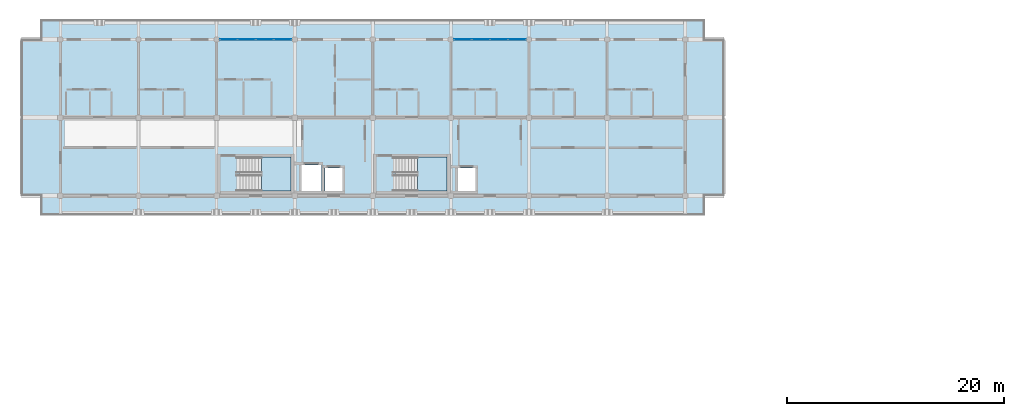
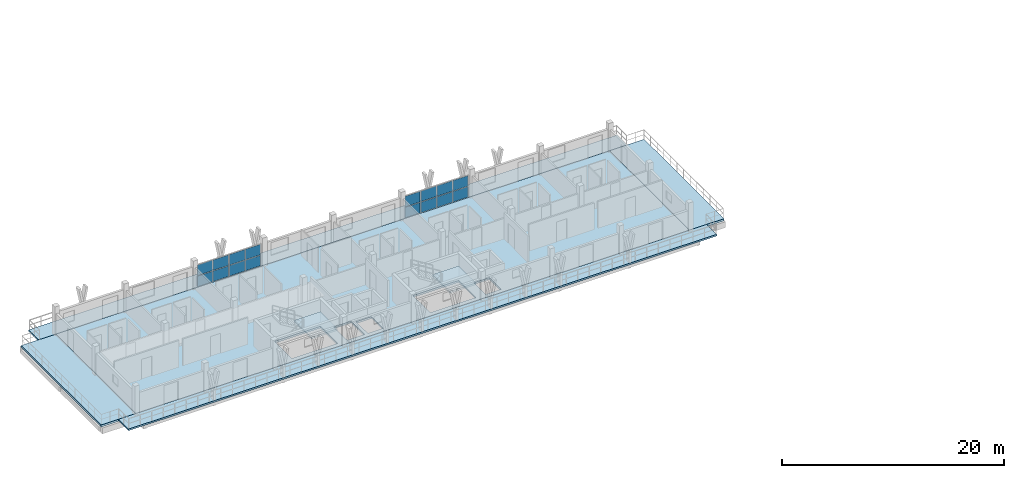
# One storey, part 15 of 32: 16 plates, 7 slabs, 4 elements without a shape of their own.
"""IFC4 building model written with IfcOpenShell, lengths in metres."""

from ifc_helpers import new_model, si_unit, direction, frame, origin, origin_2d, place, context, subcontext, project, spatial, polyline, rectangle, outline, extrude, material, layer, layer_set, type_object, element, aggregate, save


model = new_model("IFC4")

# Units and contexts
model_context = context("Model", 3, precision=1e-05, world=origin(), true_north=direction((0.0, 1.0)))
body_context = subcontext(model_context, "Body", "Model", "MODEL_VIEW")
ifc_project = project(units=[si_unit("LENGTHUNIT", "METRE"), si_unit("AREAUNIT", "SQUARE_METRE"), si_unit("VOLUMEUNIT", "CUBIC_METRE"), si_unit("PLANEANGLEUNIT", "RADIAN"), si_unit("MASSUNIT", "GRAM", prefix="KILO")], contexts=[model_context])

# Site, building, storey
site_placement = place(None, origin())
site = spatial("IfcSite", under=ifc_project, at=site_placement, CompositionType="ELEMENT")
building_placement = place(site_placement, origin())
building = spatial("IfcBuilding", under=site, at=building_placement, Name="Suanplinth Sawtooth Commons", CompositionType="ELEMENT")
storey_placement = place(building_placement, frame((0.0, 0.0, 41.199951171875)))
storey = spatial("IfcBuildingStorey", under=building, at=storey_placement, Name="L12", CompositionType="ELEMENT", Elevation=41.199951171875)

# Curtain wall, plates
ifc_material_1 = material(Name="Anodized aluminium and low-E glazing", Category="aluminium")
curtain_wall_type = type_object("IfcCurtainWallType", Name="CW-06", PredefinedType="USERDEFINED", material=ifc_material_1)
curtain_wall_1_placement = place(storey_placement, origin())
curtain_wall_1 = element("IfcCurtainWall", 1, at=curtain_wall_1_placement, inside=storey, type_object=curtain_wall_type, Name="Curtain Wall CW-L12-A-LOUNGE-2", ObjectType="CURTAIN WALL", PredefinedType="USERDEFINED")
ifc_material_2 = material(Name="Tempered low-E double glazing", Category="glass")
ifc_layer_1 = layer(ifc_material_2, 0.028076171875, Name="Vision low-E insulated glazing unit 28mm")
ifc_layer_set_1 = layer_set([ifc_layer_1], Name="Tempered low-E double glazing")
plate_type = type_object("IfcPlateType", Name="PL-05", PredefinedType="CURTAIN_PANEL", material=ifc_layer_set_1)
plate_1_placement = place(storey_placement, frame((44.3037109375, 122.39990234375, 0.06494140625), z_axis=(0.0, 0.0, 1.0), x_axis=(1.0, 0.0, 0.0)))
plate_1 = element("IfcPlate", 2, at=plate_1_placement, type_object=plate_type, Name="CW-06 panel 1.1", PredefinedType="CURTAIN_PANEL", context=body_context, shape_type="SweptSolid", body=[
    extrude(rectangle(XDim=1.577392578125, YDim=0.028076171875, at=origin_2d()), origin(), (0.0, 0.0, 1.0), 1.152587890625),
])
plate_2_placement = place(storey_placement, frame((44.3037109375, 122.39990234375, 1.28271484375), z_axis=(0.0, 0.0, 1.0), x_axis=(1.0, 0.0, 0.0)))
plate_2 = element("IfcPlate", 3, at=plate_2_placement, type_object=plate_type, Name="CW-06 panel 1.2", PredefinedType="CURTAIN_PANEL", context=body_context, shape_type="SweptSolid", body=[
    extrude(rectangle(XDim=1.577392578125, YDim=0.028076171875, at=origin_2d()), origin(), (0.0, 0.0, 1.0), 1.152587890625),
])
plate_3_placement = place(storey_placement, frame((45.96240234375, 122.39990234375, 0.06494140625), z_axis=(0.0, 0.0, 1.0), x_axis=(1.0, 0.0, 0.0)))
plate_3 = element("IfcPlate", 4, at=plate_3_placement, type_object=plate_type, Name="CW-06 panel 2.1", PredefinedType="CURTAIN_PANEL", context=body_context, shape_type="SweptSolid", body=[
    extrude(rectangle(XDim=1.610107421875, YDim=0.028076171875, at=origin_2d()), origin(), (0.0, 0.0, 1.0), 1.152587890625),
])
plate_4_placement = place(storey_placement, frame((45.96240234375, 122.39990234375, 1.28271484375), z_axis=(0.0, 0.0, 1.0), x_axis=(1.0, 0.0, 0.0)))
plate_4 = element("IfcPlate", 5, at=plate_4_placement, type_object=plate_type, Name="CW-06 panel 2.2", PredefinedType="CURTAIN_PANEL", context=body_context, shape_type="SweptSolid", body=[
    extrude(rectangle(XDim=1.610107421875, YDim=0.028076171875, at=origin_2d()), origin(), (0.0, 0.0, 1.0), 1.152587890625),
])
plate_5_placement = place(storey_placement, frame((47.637451171875, 122.39990234375, 0.06494140625), z_axis=(0.0, 0.0, 1.0), x_axis=(1.0, 0.0, 0.0)))
plate_5 = element("IfcPlate", 6, at=plate_5_placement, type_object=plate_type, Name="CW-06 panel 3.1", PredefinedType="CURTAIN_PANEL", context=body_context, shape_type="SweptSolid", body=[
    extrude(rectangle(XDim=1.610107421875, YDim=0.028076171875, at=origin_2d()), origin(), (0.0, 0.0, 1.0), 1.152587890625),
])
plate_6_placement = place(storey_placement, frame((47.637451171875, 122.39990234375, 1.28271484375), z_axis=(0.0, 0.0, 1.0), x_axis=(1.0, 0.0, 0.0)))
plate_6 = element("IfcPlate", 7, at=plate_6_placement, type_object=plate_type, Name="CW-06 panel 3.2", PredefinedType="CURTAIN_PANEL", context=body_context, shape_type="SweptSolid", body=[
    extrude(rectangle(XDim=1.610107421875, YDim=0.028076171875, at=origin_2d()), origin(), (0.0, 0.0, 1.0), 1.152587890625),
])
plate_7_placement = place(storey_placement, frame((49.296142578125, 122.39990234375, 0.06494140625), z_axis=(0.0, 0.0, 1.0), x_axis=(1.0, 0.0, 0.0)))
plate_7 = element("IfcPlate", 8, at=plate_7_placement, type_object=plate_type, Name="CW-06 panel 4.1", PredefinedType="CURTAIN_PANEL", context=body_context, shape_type="SweptSolid", body=[
    extrude(rectangle(XDim=1.577392578125, YDim=0.028076171875, at=origin_2d()), origin(), (0.0, 0.0, 1.0), 1.152587890625),
])
plate_8_placement = place(storey_placement, frame((49.296142578125, 122.39990234375, 1.28271484375), z_axis=(0.0, 0.0, 1.0), x_axis=(1.0, 0.0, 0.0)))
plate_8 = element("IfcPlate", 9, at=plate_8_placement, type_object=plate_type, Name="CW-06 panel 4.2", PredefinedType="CURTAIN_PANEL", context=body_context, shape_type="SweptSolid", body=[
    extrude(rectangle(XDim=1.577392578125, YDim=0.028076171875, at=origin_2d()), origin(), (0.0, 0.0, 1.0), 1.152587890625),
])
aggregate(curtain_wall_1, [plate_1, plate_2, plate_3, plate_4, plate_5, plate_6, plate_7, plate_8])

curtain_wall_2_placement = place(storey_placement, origin())
curtain_wall_2 = element("IfcCurtainWall", 10, at=curtain_wall_2_placement, inside=storey, type_object=curtain_wall_type, Name="Curtain Wall CW-L12-A-LOUNGE-5", ObjectType="CURTAIN WALL", PredefinedType="USERDEFINED")
plate_9_placement = place(storey_placement, frame((65.90380859375, 122.39990234375, 0.06494140625), z_axis=(0.0, 0.0, 1.0), x_axis=(1.0, 0.0, 0.0)))
plate_9 = element("IfcPlate", 11, at=plate_9_placement, type_object=plate_type, Name="CW-06 panel 1.1", PredefinedType="CURTAIN_PANEL", context=body_context, shape_type="SweptSolid", body=[
    extrude(rectangle(XDim=1.577392578125, YDim=0.028076171875, at=origin_2d()), origin(), (0.0, 0.0, 1.0), 1.152587890625),
])
plate_10_placement = place(storey_placement, frame((65.90380859375, 122.39990234375, 1.28271484375), z_axis=(0.0, 0.0, 1.0), x_axis=(1.0, 0.0, 0.0)))
plate_10 = element("IfcPlate", 12, at=plate_10_placement, type_object=plate_type, Name="CW-06 panel 1.2", PredefinedType="CURTAIN_PANEL", context=body_context, shape_type="SweptSolid", body=[
    extrude(rectangle(XDim=1.577392578125, YDim=0.028076171875, at=origin_2d()), origin(), (0.0, 0.0, 1.0), 1.152587890625),
])
plate_11_placement = place(storey_placement, frame((67.5625, 122.39990234375, 0.06494140625), z_axis=(0.0, 0.0, 1.0), x_axis=(1.0, 0.0, 0.0)))
plate_11 = element("IfcPlate", 13, at=plate_11_placement, type_object=plate_type, Name="CW-06 panel 2.1", PredefinedType="CURTAIN_PANEL", context=body_context, shape_type="SweptSolid", body=[
    extrude(rectangle(XDim=1.610107421875, YDim=0.028076171875, at=origin_2d()), origin(), (0.0, 0.0, 1.0), 1.152587890625),
])
plate_12_placement = place(storey_placement, frame((67.5625, 122.39990234375, 1.28271484375), z_axis=(0.0, 0.0, 1.0), x_axis=(1.0, 0.0, 0.0)))
plate_12 = element("IfcPlate", 14, at=plate_12_placement, type_object=plate_type, Name="CW-06 panel 2.2", PredefinedType="CURTAIN_PANEL", context=body_context, shape_type="SweptSolid", body=[
    extrude(rectangle(XDim=1.610107421875, YDim=0.028076171875, at=origin_2d()), origin(), (0.0, 0.0, 1.0), 1.152587890625),
])
plate_13_placement = place(storey_placement, frame((69.237548828125, 122.39990234375, 0.06494140625), z_axis=(0.0, 0.0, 1.0), x_axis=(1.0, 0.0, 0.0)))
plate_13 = element("IfcPlate", 15, at=plate_13_placement, type_object=plate_type, Name="CW-06 panel 3.1", PredefinedType="CURTAIN_PANEL", context=body_context, shape_type="SweptSolid", body=[
    extrude(rectangle(XDim=1.610107421875, YDim=0.028076171875, at=origin_2d()), origin(), (0.0, 0.0, 1.0), 1.152587890625),
])
plate_14_placement = place(storey_placement, frame((69.237548828125, 122.39990234375, 1.28271484375), z_axis=(0.0, 0.0, 1.0), x_axis=(1.0, 0.0, 0.0)))
plate_14 = element("IfcPlate", 16, at=plate_14_placement, type_object=plate_type, Name="CW-06 panel 3.2", PredefinedType="CURTAIN_PANEL", context=body_context, shape_type="SweptSolid", body=[
    extrude(rectangle(XDim=1.610107421875, YDim=0.028076171875, at=origin_2d()), origin(), (0.0, 0.0, 1.0), 1.152587890625),
])
plate_15_placement = place(storey_placement, frame((70.896240234375, 122.39990234375, 0.06494140625), z_axis=(0.0, 0.0, 1.0), x_axis=(1.0, 0.0, 0.0)))
plate_15 = element("IfcPlate", 17, at=plate_15_placement, type_object=plate_type, Name="CW-06 panel 4.1", PredefinedType="CURTAIN_PANEL", context=body_context, shape_type="SweptSolid", body=[
    extrude(rectangle(XDim=1.577392578125, YDim=0.028076171875, at=origin_2d()), origin(), (0.0, 0.0, 1.0), 1.152587890625),
])
plate_16_placement = place(storey_placement, frame((70.896240234375, 122.39990234375, 1.28271484375), z_axis=(0.0, 0.0, 1.0), x_axis=(1.0, 0.0, 0.0)))
plate_16 = element("IfcPlate", 18, at=plate_16_placement, type_object=plate_type, Name="CW-06 panel 4.2", PredefinedType="CURTAIN_PANEL", context=body_context, shape_type="SweptSolid", body=[
    extrude(rectangle(XDim=1.577392578125, YDim=0.028076171875, at=origin_2d()), origin(), (0.0, 0.0, 1.0), 1.152587890625),
])
aggregate(curtain_wall_2, [plate_9, plate_10, plate_11, plate_12, plate_13, plate_14, plate_15, plate_16])

# Slabs
ifc_material_3 = material(Name="Precast concrete C40/50", Category="concrete")
ifc_layer_2 = layer(ifc_material_3, 0.179931640625, Name="Wrap-around cantilevered precast balcony slab 180mm")
ifc_layer_set_2 = layer_set([ifc_layer_2], Name="Precast concrete C40/50")
slab_type_1 = type_object("IfcSlabType", Name="S-BL01", PredefinedType="FLOOR", material=ifc_layer_set_2)
slab_1_placement = place(storey_placement, frame((0.0, 0.0, -0.179931640625)))
element("IfcSlab", 19, at=slab_1_placement, inside=storey, type_object=slab_type_1, Name="L12 Block A Wrap-Around Balcony N", PredefinedType="FLOOR", context=body_context, shape_type="SweptSolid", body=[
    extrude(outline(polyline([(27.0, 124.199951171875), (88.199951171875, 124.199951171875), (88.199951171875, 122.39990234375), (27.0, 122.39990234375), (27.0, 124.199951171875)])), origin(), (0.0, 0.0, 1.0), 0.179931640625),
])
slab_2_placement = place(storey_placement, frame((0.0, 0.0, -0.179931640625)))
element("IfcSlab", 20, at=slab_2_placement, inside=storey, type_object=slab_type_1, Name="L12 Block A Wrap-Around Balcony S", PredefinedType="FLOOR", context=body_context, shape_type="SweptSolid", body=[
    extrude(outline(polyline([(88.199951171875, 106.199951171875), (27.0, 106.199951171875), (27.0, 108.0), (88.199951171875, 108.0), (88.199951171875, 106.199951171875)])), origin(), (0.0, 0.0, 1.0), 0.179931640625),
])
ifc_layer_3 = layer(ifc_material_3, 0.2099609375, Name="Precast hollow-core + topping floor slab 210mm")
ifc_layer_set_3 = layer_set([ifc_layer_3], Name="Precast concrete C40/50")
slab_type_2 = type_object("IfcSlabType", Name="S-FL04", PredefinedType="FLOOR", material=ifc_layer_set_3)
slab_3_placement = place(storey_placement, frame((0.0, 0.0, -0.2099609375)))
element("IfcSlab", 21, at=slab_3_placement, inside=storey, type_object=slab_type_2, Name="L12 Block A Structural Floor Plate", PredefinedType="FLOOR", context=body_context, shape_type="SweptSolid", body=[
    extrude(outline(polyline([(28.800048828125, 108.0), (86.39990234375, 108.0), (86.39990234375, 122.39990234375), (28.800048828125, 122.39990234375), (28.800048828125, 108.0)]), holes=[polyline([(45.2900390625, 108.449951171875), (50.050048828125, 108.449951171875), (50.050048828125, 111.550048828125), (45.2900390625, 111.550048828125), (45.2900390625, 108.449951171875)]), polyline([(51.050048828125, 108.449951171875), (52.85009765625, 108.449951171875), (52.85009765625, 110.85009765625), (51.050048828125, 110.85009765625), (51.050048828125, 108.449951171875)]), polyline([(53.199951171875, 108.449951171875), (54.800048828125, 108.449951171875), (54.800048828125, 110.550048828125), (53.199951171875, 110.550048828125), (53.199951171875, 108.449951171875)]), polyline([(59.68994140625, 108.449951171875), (64.449951171875, 108.449951171875), (64.449951171875, 111.550048828125), (59.68994140625, 111.550048828125), (59.68994140625, 108.449951171875)]), polyline([(65.449951171875, 108.449951171875), (67.050048828125, 108.449951171875), (67.050048828125, 110.550048828125), (65.449951171875, 110.550048828125), (65.449951171875, 108.449951171875)])]), origin(), (0.0, 0.0, 1.0), 0.2099609375),
])

# Stair, slab
ifc_material_4 = material(Name="Concrete C40/50", Category="concrete")
stair_type = type_object("IfcStairType", Name="ST-03", PredefinedType="USERDEFINED", material=ifc_material_4)
stair_1_placement = place(storey_placement, origin())
stair_1 = element("IfcStair", 22, at=stair_1_placement, inside=storey, type_object=stair_type, Name="L12 Exit Stair ST-N1", ObjectType="TWO_RETURN_STAIR", PredefinedType="USERDEFINED")
ifc_layer_4 = layer(ifc_material_4, 0.199951171875, Name="Reinforced concrete stair and ramp landing slab 200mm")
ifc_layer_set_4 = layer_set([ifc_layer_4], Name="Concrete C40/50")
slab_type_3 = type_object("IfcSlabType", Name="S-LD01", PredefinedType="LANDING", material=ifc_layer_set_4)
slab_4_placement = place(storey_placement, frame((0.0, 0.0, 1.400146484375)))
slab_4 = element("IfcSlab", 23, at=slab_4_placement, type_object=slab_type_3, Name="ST-03 landing 1", PredefinedType="LANDING", context=body_context, shape_type="SweptSolid", body=[
    extrude(outline(polyline([(47.330078125, 108.449951171875), (50.050048828125, 108.449951171875), (50.050048828125, 111.550048828125), (47.330078125, 111.550048828125), (47.330078125, 108.449951171875)])), origin(), (0.0, 0.0, 1.0), 0.199951171875),
])
aggregate(stair_1, [slab_4])

stair_2_placement = place(storey_placement, origin())
stair_2 = element("IfcStair", 24, at=stair_2_placement, inside=storey, type_object=stair_type, Name="L12 Exit Stair ST-N2", ObjectType="TWO_RETURN_STAIR", PredefinedType="USERDEFINED")
slab_5_placement = place(storey_placement, frame((0.0, 0.0, 1.400146484375)))
slab_5 = element("IfcSlab", 25, at=slab_5_placement, type_object=slab_type_3, Name="ST-03 landing 1", PredefinedType="LANDING", context=body_context, shape_type="SweptSolid", body=[
    extrude(outline(polyline([(61.72998046875, 108.449951171875), (64.449951171875, 108.449951171875), (64.449951171875, 111.550048828125), (61.72998046875, 111.550048828125), (61.72998046875, 108.449951171875)])), origin(), (0.0, 0.0, 1.0), 0.199951171875),
])
aggregate(stair_2, [slab_5])

# Slabs
ifc_layer_5 = layer(ifc_material_4, 0.239990234375, Name="Stepped sky-terrace & courtyard garden slab 240mm")
ifc_layer_set_5 = layer_set([ifc_layer_5], Name="Concrete C40/50")
slab_type_4 = type_object("IfcSlabType", Name="S-TR01", PredefinedType="FLOOR", material=ifc_layer_set_5)
slab_6_placement = place(storey_placement, frame((0.0, 0.0, -0.239990234375)))
element("IfcSlab", 26, at=slab_6_placement, inside=storey, type_object=slab_type_4, Name="L12 Block A Stepped Sky-Terrace 1", PredefinedType="FLOOR", context=body_context, shape_type="SweptSolid", body=[
    extrude(outline(polyline([(25.199951171875, 108.0), (25.199951171875, 122.39990234375), (28.800048828125, 122.39990234375), (28.800048828125, 108.0), (25.199951171875, 108.0)])), origin(), (0.0, 0.0, 1.0), 0.239990234375),
])
slab_7_placement = place(storey_placement, frame((0.0, 0.0, -0.239990234375)))
element("IfcSlab", 27, at=slab_7_placement, inside=storey, type_object=slab_type_4, Name="L12 Block A Stepped Sky-Terrace 2", PredefinedType="FLOOR", context=body_context, shape_type="SweptSolid", body=[
    extrude(outline(polyline([(90.0, 122.39990234375), (90.0, 108.0), (86.39990234375, 108.0), (86.39990234375, 122.39990234375), (90.0, 122.39990234375)])), origin(), (0.0, 0.0, 1.0), 0.239990234375),
])

save(model, "model.ifc")
